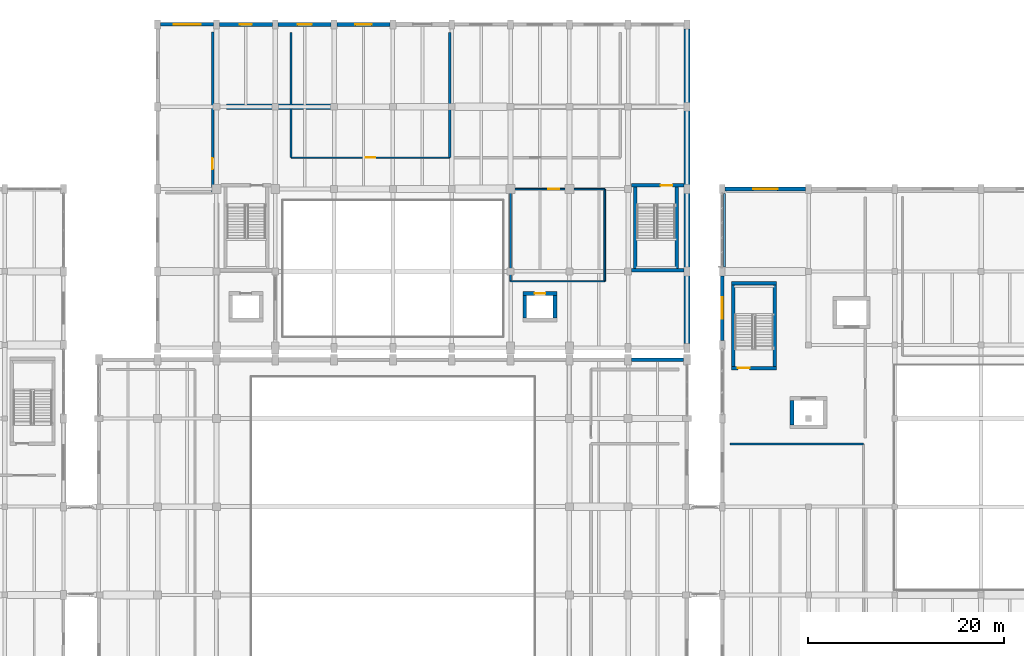
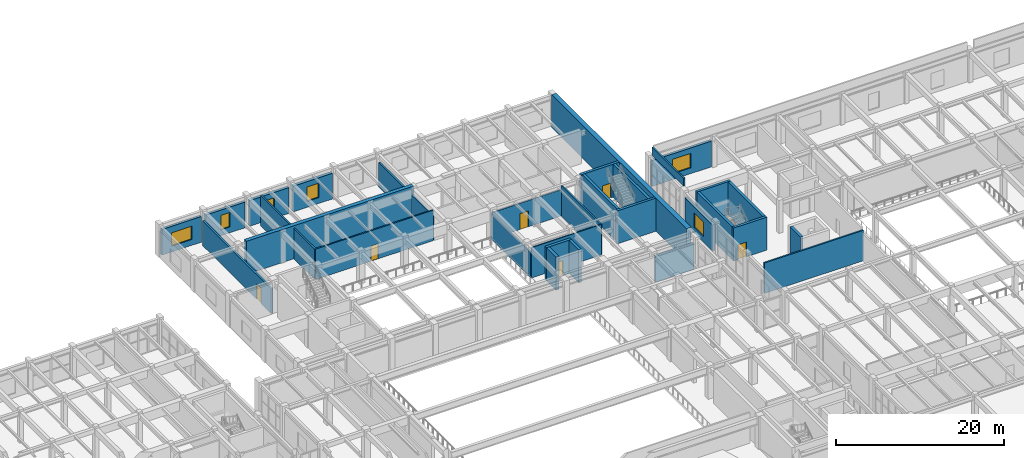
# One storey, part 73 of 96: 31 walls, 6 doors, 6 windows, 12 openings.
"""IFC4 building model written with IfcOpenShell, lengths in metres."""

from ifc_helpers import new_model, si_unit, direction, frame, frame_2d, origin, place, context, subcontext, project, spatial, rectangle, extrude, material, layer, layer_set, type_object, element, fill, save


model = new_model("IFC4")

# Units and contexts
model_context = context("Model", 3, precision=1e-05, world=origin(), true_north=direction((0.0, 1.0)))
body_context = subcontext(model_context, "Body", "Model", "MODEL_VIEW")
ifc_project = project(units=[si_unit("LENGTHUNIT", "METRE"), si_unit("AREAUNIT", "SQUARE_METRE"), si_unit("VOLUMEUNIT", "CUBIC_METRE"), si_unit("PLANEANGLEUNIT", "RADIAN"), si_unit("MASSUNIT", "GRAM", prefix="KILO")], contexts=[model_context])

# Site, building, storey
site_placement = place(None, origin())
site = spatial("IfcSite", under=ifc_project, at=site_placement, CompositionType="ELEMENT")
building_placement = place(site_placement, origin())
building = spatial("IfcBuilding", under=site, at=building_placement, Name="Vaelkrest Opera House", CompositionType="ELEMENT")
storey_placement = place(building_placement, frame((0.0, 0.0, 5.39990234375)))
storey = spatial("IfcBuildingStorey", under=building, at=storey_placement, Name="L01", CompositionType="ELEMENT", Elevation=5.39990234375)

# Wall
ifc_material_1 = material(Name="American black walnut acoustic timber", Category="wood")
ifc_layer_1 = layer(ifc_material_1, 0.360107421875)
ifc_layer_set_1 = layer_set([ifc_layer_1], Name="American black walnut acoustic timber")
wall_type_1 = type_object("IfcWallType", Name="EW06", PredefinedType="STANDARD", material=ifc_layer_set_1)
wall_1_placement = place(storey_placement, frame((24.347900390625, 16.199951171875, 0.0), z_axis=(0.0, 0.0, 1.0), x_axis=(1.0, 0.0, 0.0)))
element("IfcWall", 1, at=wall_1_placement, inside=storey, type_object=wall_type_1, Name="Exterior facade wall EW-V1-L01-0046", PredefinedType="STANDARD", context=body_context, shape_type="SweptSolid", body=[
    extrude(rectangle(XDim=5.30419921875, YDim=0.360107421875, at=frame_2d((2.652099609375, 0.0))), origin(), (0.0, 0.0, 1.0), 3.739990234375),
])

# Wall, opening, window
wall_2_placement = place(storey_placement, frame((33.60009765625, 18.14794921875, 0.0), z_axis=(0.0, 0.0, 1.0), x_axis=(0.0, 1.0, 0.0)))
wall_2 = element("IfcWall", 2, at=wall_2_placement, inside=storey, type_object=wall_type_1, Name="Exterior facade wall EW-V4-L01-0236", PredefinedType="STANDARD", context=body_context, shape_type="SweptSolid", body=[
    extrude(rectangle(XDim=6.60400390625, YDim=0.360107421875, at=frame_2d((3.302001953125, 0.0))), origin(), (0.0, 0.0, 1.0), 3.82421875),
])
opening_1_placement = place(wall_2_placement, frame((2.201904296875, 0.0, 0.85009765625)))
opening_1 = element("IfcOpeningElement", 3, at=opening_1_placement, cuts=wall_2, Name="Opening WN121", PredefinedType="OPENING", context=body_context, shape_type="SweptSolid", body=[
    extrude(rectangle(XDim=2.199951171875, YDim=2.10009765625, at=frame_2d((1.10009765625, 1.050048828125))), frame((0.0, 0.18994140625, 0.0), z_axis=(0.0, -1.0, 0.0), x_axis=(1.0, 0.0, 0.0)), (0.0, 0.0, 1.0), 0.380126953125),
])
ifc_material_2 = material(Name="Double low-E insulated glazing", Category="glass")
window_type_1 = type_object("IfcWindowType", Name="WT17", PartitioningType="SINGLE_PANEL", PredefinedType="WINDOW", material=ifc_material_2)
window_1_placement = place(opening_1_placement, origin())
window_1 = element("IfcWindow", 4, at=window_1_placement, inside=storey, type_object=window_type_1, Name="Facade window WN121", OverallHeight=2.10009765625, OverallWidth=2.199951171875, PartitioningType="SINGLE_PANEL", PredefinedType="WINDOW", context=body_context, shape_type="SweptSolid", body=[
    extrude(rectangle(XDim=2.199951171875, YDim=2.10009765625, at=frame_2d((1.10009765625, 1.050048828125))), frame((0.0, 0.030029296875, 0.0), z_axis=(0.0, -1.0, 0.0), x_axis=(1.0, 0.0, 0.0)), (0.0, 0.0, 1.0), 0.06005859375),
])
fill(opening_1, window_1)

wall_3_placement = place(storey_placement, frame((-23.701904296875, 50.39990234375, 0.0), z_axis=(0.0, 0.0, 1.0), x_axis=(1.0, 0.0, 0.0)))
wall_3 = element("IfcWall", 5, at=wall_3_placement, inside=storey, type_object=wall_type_1, Name="Exterior facade wall EW-V2-L01-0346", PredefinedType="STANDARD", context=body_context, shape_type="SweptSolid", body=[
    extrude(rectangle(XDim=5.40380859375, YDim=0.360107421875, at=frame_2d((2.701904296875, 0.0))), origin(), (0.0, 0.0, 1.0), 3.739990234375),
])
opening_2_placement = place(wall_3_placement, frame((1.326904296875, 0.0, 0.85009765625)))
opening_2 = element("IfcOpeningElement", 6, at=opening_2_placement, cuts=wall_3, Name="Opening WN220", PredefinedType="OPENING", context=body_context, shape_type="SweptSolid", body=[
    extrude(rectangle(XDim=2.75, YDim=1.949951171875, at=frame_2d((1.375, 0.97509765625))), frame((0.0, 0.18994140625, 0.0), z_axis=(0.0, -1.0, 0.0), x_axis=(1.0, 0.0, 0.0)), (0.0, 0.0, 1.0), 0.380126953125),
])
window_type_2 = type_object("IfcWindowType", Name="WT12", PartitioningType="SINGLE_PANEL", PredefinedType="WINDOW", material=ifc_material_2)
window_2_placement = place(opening_2_placement, origin())
window_2 = element("IfcWindow", 7, at=window_2_placement, inside=storey, type_object=window_type_2, Name="Facade window WN220", OverallHeight=1.949951171875, OverallWidth=2.75, PartitioningType="SINGLE_PANEL", PredefinedType="WINDOW", context=body_context, shape_type="SweptSolid", body=[
    extrude(rectangle(XDim=2.75, YDim=1.949951171875, at=frame_2d((1.375, 0.97509765625))), frame((0.0, 0.030029296875, 0.0), z_axis=(0.0, -1.0, 0.0), x_axis=(1.0, 0.0, 0.0)), (0.0, 0.0, 1.0), 0.06005859375),
])
fill(opening_2, window_2)

ifc_material_3 = material(Name="Concrete C40/50", Category="concrete")
ifc_layer_2 = layer(ifc_material_3, 0.385009765625)
ifc_layer_set_2 = layer_set([ifc_layer_2], Name="Concrete C40/50")
wall_type_2 = type_object("IfcWallType", Name="EW07", PredefinedType="STANDARD", material=ifc_layer_set_2)
wall_4_placement = place(storey_placement, frame((33.89794921875, 33.60009765625, 0.0), z_axis=(0.0, 0.0, 1.0), x_axis=(1.0, 0.0, 0.0)))
wall_4 = element("IfcWall", 8, at=wall_4_placement, inside=storey, type_object=wall_type_2, Name="Exterior facade wall EW-V4-L01-0237", PredefinedType="STANDARD", context=body_context, shape_type="SweptSolid", body=[
    extrude(rectangle(XDim=8.2041015625, YDim=0.385009765625, at=frame_2d((4.10205078125, 0.0))), origin(), (0.0, 0.0, 1.0), 3.7451171875),
])
opening_3_placement = place(wall_4_placement, frame((2.85205078125, 0.0, 0.85009765625)))
opening_3 = element("IfcOpeningElement", 9, at=opening_3_placement, cuts=wall_4, Name="Opening WN122", PredefinedType="OPENING", context=body_context, shape_type="SweptSolid", body=[
    extrude(rectangle(XDim=2.5, YDim=2.10009765625, at=frame_2d((1.25, 1.050048828125))), frame((0.0, 0.202392578125, 0.0), z_axis=(0.0, -1.0, 0.0), x_axis=(1.0, 0.0, 0.0)), (0.0, 0.0, 1.0), 0.405029296875),
])
window_type_3 = type_object("IfcWindowType", Name="WT18", PartitioningType="SINGLE_PANEL", PredefinedType="WINDOW", material=ifc_material_2)
window_3_placement = place(opening_3_placement, origin())
window_3 = element("IfcWindow", 10, at=window_3_placement, inside=storey, type_object=window_type_3, Name="Facade window WN122", OverallHeight=2.10009765625, OverallWidth=2.5, PartitioningType="SINGLE_PANEL", PredefinedType="WINDOW", context=body_context, shape_type="SweptSolid", body=[
    extrude(rectangle(XDim=2.5, YDim=2.10009765625, at=frame_2d((1.25, 1.050048828125))), frame((0.0, 0.030029296875, 0.0), z_axis=(0.0, -1.0, 0.0), x_axis=(1.0, 0.0, 0.0)), (0.0, 0.0, 1.0), 0.06005859375),
])
fill(opening_3, window_3)

wall_5_placement = place(storey_placement, frame((-17.701904296875, 50.39990234375, 0.0), z_axis=(0.0, 0.0, 1.0), x_axis=(1.0, 0.0, 0.0)))
wall_5 = element("IfcWall", 11, at=wall_5_placement, inside=storey, type_object=wall_type_2, Name="Exterior facade wall EW-V2-L01-0347", PredefinedType="STANDARD", context=body_context, shape_type="SweptSolid", body=[
    extrude(rectangle(XDim=5.40380859375, YDim=0.385009765625, at=frame_2d((2.701904296875, 0.0))), origin(), (0.0, 0.0, 1.0), 3.739990234375),
])
opening_4_placement = place(wall_5_placement, frame((2.10205078125, 0.0, 0.85009765625)))
opening_4 = element("IfcOpeningElement", 12, at=opening_4_placement, cuts=wall_5, Name="Opening WN221", PredefinedType="OPENING", context=body_context, shape_type="SweptSolid", body=[
    extrude(rectangle(XDim=1.199951171875, YDim=2.10009765625, at=frame_2d((0.60009765625, 1.050048828125))), frame((0.0, 0.202392578125, 0.0), z_axis=(0.0, -1.0, 0.0), x_axis=(1.0, 0.0, 0.0)), (0.0, 0.0, 1.0), 0.405029296875),
])
window_type_4 = type_object("IfcWindowType", Name="WT13", PartitioningType="SINGLE_PANEL", PredefinedType="WINDOW", material=ifc_material_2)
window_4_placement = place(opening_4_placement, origin())
window_4 = element("IfcWindow", 13, at=window_4_placement, inside=storey, type_object=window_type_4, Name="Facade window WN221", OverallHeight=2.10009765625, OverallWidth=1.199951171875, PartitioningType="SINGLE_PANEL", PredefinedType="WINDOW", context=body_context, shape_type="SweptSolid", body=[
    extrude(rectangle(XDim=1.199951171875, YDim=2.10009765625, at=frame_2d((0.60009765625, 1.050048828125))), frame((0.0, 0.030029296875, 0.0), z_axis=(0.0, -1.0, 0.0), x_axis=(1.0, 0.0, 0.0)), (0.0, 0.0, 1.0), 0.06005859375),
])
fill(opening_4, window_4)

ifc_layer_3 = layer(ifc_material_3, 0.409912109375)
ifc_layer_set_3 = layer_set([ifc_layer_3], Name="Concrete C40/50")
wall_type_3 = type_object("IfcWallType", Name="EW08", PredefinedType="STANDARD", material=ifc_layer_set_3)
wall_6_placement = place(storey_placement, frame((-11.701904296875, 50.39990234375, 0.0), z_axis=(0.0, 0.0, 1.0), x_axis=(1.0, 0.0, 0.0)))
wall_6 = element("IfcWall", 14, at=wall_6_placement, inside=storey, type_object=wall_type_3, Name="Exterior facade wall EW-V2-L01-0348", PredefinedType="STANDARD", context=body_context, shape_type="SweptSolid", body=[
    extrude(rectangle(XDim=5.40380859375, YDim=0.409912109375, at=frame_2d((2.701904296875, 0.0))), origin(), (0.0, 0.0, 1.0), 3.739990234375),
])
opening_5_placement = place(wall_6_placement, frame((1.97705078125, 0.0, 0.85009765625)))
opening_5 = element("IfcOpeningElement", 15, at=opening_5_placement, cuts=wall_6, Name="Opening WN222", PredefinedType="OPENING", context=body_context, shape_type="SweptSolid", body=[
    extrude(rectangle(XDim=1.449951171875, YDim=2.10009765625, at=frame_2d((0.72509765625, 1.050048828125))), frame((0.0, 0.21484375, 0.0), z_axis=(0.0, -1.0, 0.0), x_axis=(1.0, 0.0, 0.0)), (0.0, 0.0, 1.0), 0.429931640625),
])
window_type_5 = type_object("IfcWindowType", Name="WT14", PartitioningType="SINGLE_PANEL", PredefinedType="WINDOW", material=ifc_material_2)
window_5_placement = place(opening_5_placement, origin())
window_5 = element("IfcWindow", 16, at=window_5_placement, inside=storey, type_object=window_type_5, Name="Facade window WN222", OverallHeight=2.10009765625, OverallWidth=1.449951171875, PartitioningType="SINGLE_PANEL", PredefinedType="WINDOW", context=body_context, shape_type="SweptSolid", body=[
    extrude(rectangle(XDim=1.449951171875, YDim=2.10009765625, at=frame_2d((0.72509765625, 1.050048828125))), frame((0.0, 0.030029296875, 0.0), z_axis=(0.0, -1.0, 0.0), x_axis=(1.0, 0.0, 0.0)), (0.0, 0.0, 1.0), 0.06005859375),
])
fill(opening_5, window_5)

ifc_layer_4 = layer(ifc_material_3, 0.43505859375)
ifc_layer_set_4 = layer_set([ifc_layer_4], Name="Concrete C40/50")
wall_type_4 = type_object("IfcWallType", Name="EW09", PredefinedType="STANDARD", material=ifc_layer_set_4)
wall_7_placement = place(storey_placement, frame((-5.701904296875, 50.39990234375, 0.0), z_axis=(0.0, 0.0, 1.0), x_axis=(1.0, 0.0, 0.0)))
wall_7 = element("IfcWall", 17, at=wall_7_placement, inside=storey, type_object=wall_type_4, Name="Exterior facade wall EW-V2-L01-0349", PredefinedType="STANDARD", context=body_context, shape_type="SweptSolid", body=[
    extrude(rectangle(XDim=5.40380859375, YDim=0.43505859375, at=frame_2d((2.701904296875, 0.0))), origin(), (0.0, 0.0, 1.0), 3.739990234375),
])
opening_6_placement = place(wall_7_placement, frame((1.876953125, 0.0, 0.85009765625)))
opening_6 = element("IfcOpeningElement", 18, at=opening_6_placement, cuts=wall_7, Name="Opening WN223", PredefinedType="OPENING", context=body_context, shape_type="SweptSolid", body=[
    extrude(rectangle(XDim=1.64990234375, YDim=2.10009765625, at=frame_2d((0.824951171875, 1.050048828125))), frame((0.0, 0.2275390625, 0.0), z_axis=(0.0, -1.0, 0.0), x_axis=(1.0, 0.0, 0.0)), (0.0, 0.0, 1.0), 0.455078125),
])
window_type_6 = type_object("IfcWindowType", Name="WT15", PartitioningType="SINGLE_PANEL", PredefinedType="WINDOW", material=ifc_material_2)
window_6_placement = place(opening_6_placement, origin())
window_6 = element("IfcWindow", 19, at=window_6_placement, inside=storey, type_object=window_type_6, Name="Facade window WN223", OverallHeight=2.10009765625, OverallWidth=1.64990234375, PartitioningType="SINGLE_PANEL", PredefinedType="WINDOW", context=body_context, shape_type="SweptSolid", body=[
    extrude(rectangle(XDim=1.64990234375, YDim=2.10009765625, at=frame_2d((0.824951171875, 1.050048828125))), frame((0.0, 0.030029296875, 0.0), z_axis=(0.0, -1.0, 0.0), x_axis=(1.0, 0.0, 0.0)), (0.0, 0.0, 1.0), 0.06005859375),
])
fill(opening_6, window_6)

# Walls
ifc_layer_5 = layer(ifc_material_3, 0.205078125)
ifc_layer_set_5 = layer_set([ifc_layer_5], Name="Concrete C40/50")
wall_type_5 = type_object("IfcWallType", Name="PP01", PredefinedType="PARAPET", material=ifc_layer_set_5)
wall_8_placement = place(storey_placement, frame((33.85009765625, 33.14990234375, 4.800048828125), z_axis=(0.0, 0.0, 1.0), x_axis=(0.0, -1.0, 0.0)))
element("IfcWall", 20, at=wall_8_placement, inside=storey, type_object=wall_type_5, Name="Roof parapet 13", PredefinedType="PARAPET", context=body_context, shape_type="SweptSolid", body=[
    extrude(rectangle(XDim=7.5, YDim=0.205078125, at=frame_2d((3.75, 0.0))), origin(), (0.0, 0.0, 1.0), 1.150146484375),
])
ifc_material_4 = material(Name="Gypsum acoustic board", Category="gypsum")
ifc_layer_6 = layer(ifc_material_4, 0.135009765625)
ifc_layer_set_6 = layer_set([ifc_layer_6], Name="Gypsum acoustic board")
wall_type_6 = type_object("IfcWallType", Name="PT02", PredefinedType="PARTITIONING", material=ifc_layer_set_6)
wall_9_placement = place(storey_placement, frame((12.0, 24.199951171875, 0.0), z_axis=(0.0, 0.0, 1.0), x_axis=(1.0, 0.0, 0.0)))
element("IfcWall", 21, at=wall_9_placement, inside=storey, type_object=wall_type_6, Name="Interior partition PT-V2-L01-0184", PredefinedType="PARTITIONING", context=body_context, shape_type="SweptSolid", body=[
    extrude(rectangle(XDim=9.60009765625, YDim=0.135009765625, at=frame_2d((4.800048828125, 0.0))), origin(), (0.0, 0.0, 1.0), 4.420166015625),
])

# Wall, opening, door
ifc_layer_7 = layer(ifc_material_4, 0.14990234375)
ifc_layer_set_7 = layer_set([ifc_layer_7], Name="Gypsum acoustic board")
wall_type_7 = type_object("IfcWallType", Name="PT03", PredefinedType="PARTITIONING", material=ifc_layer_set_7)
wall_10_placement = place(storey_placement, frame((12.0, 33.60009765625, 0.0), z_axis=(0.0, 0.0, 1.0), x_axis=(1.0, 0.0, 0.0)))
wall_10 = element("IfcWall", 22, at=wall_10_placement, inside=storey, type_object=wall_type_7, Name="Interior partition PT-V2-L01-0185", PredefinedType="PARTITIONING", context=body_context, shape_type="SweptSolid", body=[
    extrude(rectangle(XDim=9.60009765625, YDim=0.14990234375, at=frame_2d((4.800048828125, 0.0))), origin(), (0.0, 0.0, 1.0), 3.80712890625),
])
opening_7_placement = place(wall_10_placement, frame((3.824951171875, 0.0, 0.0)))
opening_7 = element("IfcOpeningElement", 23, at=opening_7_placement, cuts=wall_10, Name="Opening D071", PredefinedType="OPENING", context=body_context, shape_type="SweptSolid", body=[
    extrude(rectangle(XDim=1.14990234375, YDim=2.300048828125, at=frame_2d((0.574951171875, 1.14990234375))), frame((0.0, 0.0849609375, 0.0), z_axis=(0.0, -1.0, 0.0), x_axis=(1.0, 0.0, 0.0)), (0.0, 0.0, 1.0), 0.169921875),
])
door_type_1 = type_object("IfcDoorType", Name="DT12", OperationType="NOTDEFINED", PredefinedType="DOOR", material=ifc_material_1)
door_1_placement = place(opening_7_placement, origin())
door_1 = element("IfcDoor", 24, at=door_1_placement, inside=storey, type_object=door_type_1, Name="Interior door D071 (Lighting Bridge)", OperationType="SINGLE_SWING_RIGHT", OverallHeight=2.300048828125, OverallWidth=1.14990234375, PredefinedType="DOOR", context=body_context, shape_type="SweptSolid", body=[
    extrude(rectangle(XDim=1.14990234375, YDim=2.300048828125, at=frame_2d((0.574951171875, 1.14990234375))), frame((0.0, 0.02490234375, 0.0), z_axis=(0.0, -1.0, 0.0), x_axis=(1.0, 0.0, 0.0)), (0.0, 0.0, 1.0), 0.050048828125),
])
fill(opening_7, door_1)

# Walls
ifc_layer_8 = layer(ifc_material_4, 0.1650390625)
ifc_layer_set_8 = layer_set([ifc_layer_8], Name="Gypsum acoustic board")
wall_type_8 = type_object("IfcWallType", Name="PT04", PredefinedType="PARTITIONING", material=ifc_layer_set_8)
wall_11_placement = place(storey_placement, frame((12.0, 24.199951171875, 0.0), z_axis=(0.0, 0.0, 1.0), x_axis=(0.0, 1.0, 0.0)))
element("IfcWall", 25, at=wall_11_placement, inside=storey, type_object=wall_type_8, Name="Interior partition PT-V2-L01-0186", PredefinedType="PARTITIONING", context=body_context, shape_type="SweptSolid", body=[
    extrude(rectangle(XDim=9.400146484375, YDim=0.1650390625, at=frame_2d((4.7001953125, 0.0))), origin(), (0.0, 0.0, 1.0), 3.68505859375),
])
ifc_layer_9 = layer(ifc_material_4, 0.179931640625)
ifc_layer_set_9 = layer_set([ifc_layer_9], Name="Gypsum acoustic board")
wall_type_9 = type_object("IfcWallType", Name="PT05", PredefinedType="PARTITIONING", material=ifc_layer_set_9)
wall_12_placement = place(storey_placement, frame((21.60009765625, 24.199951171875, 0.0), z_axis=(0.0, 0.0, 1.0), x_axis=(0.0, 1.0, 0.0)))
element("IfcWall", 26, at=wall_12_placement, inside=storey, type_object=wall_type_9, Name="Interior partition PT-V2-L01-0187", PredefinedType="PARTITIONING", context=body_context, shape_type="SweptSolid", body=[
    extrude(rectangle(XDim=9.400146484375, YDim=0.179931640625, at=frame_2d((4.7001953125, 0.0))), origin(), (0.0, 0.0, 1.0), 4.420166015625),
])

# Wall, opening, door
ifc_layer_10 = layer(ifc_material_4, 0.195068359375)
ifc_layer_set_10 = layer_set([ifc_layer_10], Name="Gypsum acoustic board")
wall_type_10 = type_object("IfcWallType", Name="PT06", PredefinedType="PARTITIONING", material=ifc_layer_set_10)
wall_13_placement = place(storey_placement, frame((-10.39990234375, 36.800048828125, 0.0), z_axis=(0.0, 0.0, 1.0), x_axis=(1.0, 0.0, 0.0)))
wall_13 = element("IfcWall", 27, at=wall_13_placement, inside=storey, type_object=wall_type_10, Name="Interior partition PT-V2-L01-0188", PredefinedType="PARTITIONING", context=body_context, shape_type="SweptSolid", body=[
    extrude(rectangle(XDim=16.199951171875, YDim=0.195068359375, at=frame_2d((8.10009765625, 0.0))), origin(), (0.0, 0.0, 1.0), 4.420166015625),
])
opening_8_placement = place(wall_13_placement, frame((7.6201171875, 0.0, 0.0)))
opening_8 = element("IfcOpeningElement", 28, at=opening_8_placement, cuts=wall_13, Name="Opening D072", PredefinedType="OPENING", context=body_context, shape_type="SweptSolid", body=[
    extrude(rectangle(XDim=0.9599609375, YDim=2.199951171875, at=frame_2d((0.47998046875, 1.10009765625))), frame((0.0, 0.107421875, 0.0), z_axis=(0.0, -1.0, 0.0), x_axis=(1.0, 0.0, 0.0)), (0.0, 0.0, 1.0), 0.215087890625),
])
door_type_2 = type_object("IfcDoorType", Name="DT21", OperationType="NOTDEFINED", PredefinedType="DOOR", material=ifc_material_1)
door_2_placement = place(opening_8_placement, origin())
door_2 = element("IfcDoor", 29, at=door_2_placement, inside=storey, type_object=door_type_2, Name="Interior door D072 (Stage Audio Control Room)", OperationType="SINGLE_SWING_LEFT", OverallHeight=2.199951171875, OverallWidth=0.9599609375, PredefinedType="DOOR", context=body_context, shape_type="SweptSolid", body=[
    extrude(rectangle(XDim=0.9599609375, YDim=2.199951171875, at=frame_2d((0.47998046875, 1.10009765625))), frame((0.0, 0.02490234375, 0.0), z_axis=(0.0, -1.0, 0.0), x_axis=(1.0, 0.0, 0.0)), (0.0, 0.0, 1.0), 0.050048828125),
])
fill(opening_8, door_2)

# Walls
ifc_layer_11 = layer(ifc_material_1, 0.2099609375)
ifc_layer_set_11 = layer_set([ifc_layer_11], Name="American black walnut acoustic timber")
wall_type_11 = type_object("IfcWallType", Name="PT07", PredefinedType="PARTITIONING", material=ifc_layer_set_11)
wall_14_placement = place(storey_placement, frame((-10.39990234375, 36.800048828125, 0.0), z_axis=(0.0, 0.0, 1.0), x_axis=(0.0, 1.0, 0.0)))
element("IfcWall", 30, at=wall_14_placement, inside=storey, type_object=wall_type_11, Name="Interior partition PT-V2-L01-0189", PredefinedType="PARTITIONING", context=body_context, shape_type="SweptSolid", body=[
    extrude(rectangle(XDim=12.800048828125, YDim=0.2099609375, at=frame_2d((6.39990234375, 0.0))), origin(), (0.0, 0.0, 1.0), 4.420166015625),
])
wall_15_placement = place(storey_placement, frame((34.39990234375, 7.60009765625, 0.0), z_axis=(0.0, 0.0, 1.0), x_axis=(1.0, 0.0, 0.0)))
element("IfcWall", 31, at=wall_15_placement, inside=storey, type_object=wall_type_11, Name="Interior partition PT-V4-L01-0371", PredefinedType="PARTITIONING", context=body_context, shape_type="SweptSolid", body=[
    extrude(rectangle(XDim=13.60009765625, YDim=0.2099609375, at=frame_2d((6.800048828125, 0.0))), origin(), (0.0, 0.0, 1.0), 4.420166015625),
])
ifc_layer_12 = layer(ifc_material_1, 0.22509765625)
ifc_layer_set_12 = layer_set([ifc_layer_12], Name="American black walnut acoustic timber")
wall_type_12 = type_object("IfcWallType", Name="PT08", PredefinedType="PARTITIONING", material=ifc_layer_set_12)
wall_16_placement = place(storey_placement, frame((5.800048828125, 36.800048828125, 0.0), z_axis=(0.0, 0.0, 1.0), x_axis=(0.0, 1.0, 0.0)))
element("IfcWall", 32, at=wall_16_placement, inside=storey, type_object=wall_type_12, Name="Interior partition PT-V2-L01-0190", PredefinedType="PARTITIONING", context=body_context, shape_type="SweptSolid", body=[
    extrude(rectangle(XDim=12.800048828125, YDim=0.22509765625, at=frame_2d((6.39990234375, 0.0))), origin(), (0.0, 0.0, 1.0), 3.585205078125),
])

# Wall, opening, door
ifc_layer_13 = layer(ifc_material_3, 0.260009765625)
ifc_layer_set_13 = layer_set([ifc_layer_13], Name="Concrete C40/50")
wall_type_13 = type_object("IfcWallType", Name="PT10", PredefinedType="PARTITIONING", material=ifc_layer_set_13)
wall_17_placement = place(storey_placement, frame((-18.39990234375, 33.199951171875, 0.0), z_axis=(0.0, 0.0, 1.0), x_axis=(0.0, 1.0, 0.0)))
wall_17 = element("IfcWall", 33, at=wall_17_placement, inside=storey, type_object=wall_type_13, Name="Interior partition PT-V2-L01-0194", PredefinedType="PARTITIONING", context=body_context, shape_type="SweptSolid", body=[
    extrude(rectangle(XDim=16.400146484375, YDim=0.260009765625, at=frame_2d((8.2001953125, 0.0))), origin(), (0.0, 0.0, 1.0), 3.585205078125),
])
opening_9_placement = place(wall_17_placement, frame((2.43994140625, 0.0, 0.0)))
opening_9 = element("IfcOpeningElement", 34, at=opening_9_placement, cuts=wall_17, Name="Opening D074", PredefinedType="OPENING", context=body_context, shape_type="SweptSolid", body=[
    extrude(rectangle(XDim=1.1201171875, YDim=2.25, at=frame_2d((0.56005859375, 1.125))), frame((0.0, 0.139892578125, 0.0), z_axis=(0.0, -1.0, 0.0), x_axis=(1.0, 0.0, 0.0)), (0.0, 0.0, 1.0), 0.280029296875),
])
door_type_3 = type_object("IfcDoorType", Name="DT23", OperationType="NOTDEFINED", PredefinedType="DOOR", material=ifc_material_1)
door_3_placement = place(opening_9_placement, origin())
door_3 = element("IfcDoor", 35, at=door_3_placement, inside=storey, type_object=door_type_3, Name="Interior door D074 (Scenery Store)", OperationType="SINGLE_SWING_LEFT", OverallHeight=2.25, OverallWidth=1.1201171875, PredefinedType="DOOR", context=body_context, shape_type="SweptSolid", body=[
    extrude(rectangle(XDim=1.1201171875, YDim=2.25, at=frame_2d((0.56005859375, 1.125))), frame((0.0, 0.02490234375, 0.0), z_axis=(0.0, -1.0, 0.0), x_axis=(1.0, 0.0, 0.0)), (0.0, 0.0, 1.0), 0.050048828125),
])
fill(opening_9, door_3)

# Walls
ifc_material_5 = material(Name="Concrete C50/60", Category="concrete")
ifc_layer_14 = layer(ifc_material_5, 0.35009765625)
ifc_layer_set_14 = layer_set([ifc_layer_14], Name="Concrete C50/60")
wall_type_14 = type_object("IfcWallType", Name="SW01", PredefinedType="SHEAR", material=ifc_layer_set_14)
wall_18_placement = place(storey_placement, frame((29.679931640625, 25.324951171875, 0.0), z_axis=(0.0, 0.0, 1.0), x_axis=(-1.0, 0.0, 0.0)))
element("IfcWall", 36, at=wall_18_placement, inside=storey, type_object=wall_type_14, Name="Stair core ST06 wall L01 S", PredefinedType="SHEAR", context=body_context, shape_type="SweptSolid", body=[
    extrude(rectangle(XDim=5.329833984375, YDim=0.35009765625, at=frame_2d((2.6650390625, 0.0))), origin(), (0.0, 0.0, 1.0), 4.800048828125),
])
wall_19_placement = place(storey_placement, frame((24.72509765625, 25.5, 0.0), z_axis=(0.0, 0.0, 1.0), x_axis=(0.0, 1.0, 0.0)))
element("IfcWall", 37, at=wall_19_placement, inside=storey, type_object=wall_type_14, Name="Stair core ST06 wall L01 W", PredefinedType="SHEAR", context=body_context, shape_type="SweptSolid", body=[
    extrude(rectangle(XDim=8.300048828125, YDim=0.35009765625, at=frame_2d((4.14990234375, 0.0))), origin(), (0.0, 0.0, 1.0), 4.800048828125),
])

# Wall, opening, door
wall_20_placement = place(storey_placement, frame((24.35009765625, 33.97509765625, 0.0), z_axis=(0.0, 0.0, 1.0), x_axis=(1.0, 0.0, 0.0)))
wall_20 = element("IfcWall", 38, at=wall_20_placement, inside=storey, type_object=wall_type_14, Name="Stair core ST06 wall L01 N", PredefinedType="SHEAR", context=body_context, shape_type="SweptSolid", body=[
    extrude(rectangle(XDim=5.329833984375, YDim=0.35009765625, at=frame_2d((2.6650390625, 0.0))), origin(), (0.0, 0.0, 1.0), 4.800048828125),
])
opening_10_placement = place(wall_20_placement, frame((2.969970703125, 0.0, 0.0)))
opening_10 = element("IfcOpeningElement", 39, at=opening_10_placement, cuts=wall_20, Name="Opening SD-ST06-L01", PredefinedType="OPENING", context=body_context, shape_type="SweptSolid", body=[
    extrude(rectangle(XDim=1.179931640625, YDim=2.14990234375, at=frame_2d((0.58984375, 1.074951171875))), frame((0.0, 0.18505859375, 0.0), z_axis=(0.0, -1.0, 0.0), x_axis=(1.0, 0.0, 0.0)), (0.0, 0.0, 1.0), 0.3701171875),
])
door_type_4 = type_object("IfcDoorType", Name="DT07", OperationType="NOTDEFINED", PredefinedType="DOOR", material=ifc_material_1)
door_4_placement = place(opening_10_placement, origin())
door_4 = element("IfcDoor", 40, at=door_4_placement, inside=storey, type_object=door_type_4, Name="Protected stair door SD-ST06-L01", OperationType="SINGLE_SWING_LEFT", OverallHeight=2.14990234375, OverallWidth=1.179931640625, PredefinedType="DOOR", context=body_context, shape_type="SweptSolid", body=[
    extrude(rectangle(XDim=1.179931640625, YDim=2.14990234375, at=frame_2d((0.58984375, 1.074951171875))), frame((0.0, 0.02490234375, 0.0), z_axis=(0.0, -1.0, 0.0), x_axis=(1.0, 0.0, 0.0)), (0.0, 0.0, 1.0), 0.050048828125),
])
fill(opening_10, door_4)

# Wall
wall_21_placement = place(storey_placement, frame((28.97509765625, 33.800048828125, 0.0), z_axis=(0.0, 0.0, 1.0), x_axis=(0.0, -1.0, 0.0)))
element("IfcWall", 41, at=wall_21_placement, inside=storey, type_object=wall_type_14, Name="Stair core ST06 wall L01 E", PredefinedType="SHEAR", context=body_context, shape_type="SweptSolid", body=[
    extrude(rectangle(XDim=8.300048828125, YDim=0.35009765625, at=frame_2d((4.14990234375, 0.0))), origin(), (0.0, 0.0, 1.0), 4.800048828125),
])

# Wall, opening, door
wall_22_placement = place(storey_placement, frame((39.14990234375, 15.324951171875, 0.0), z_axis=(0.0, 0.0, 1.0), x_axis=(-1.0, 0.0, 0.0)))
wall_22 = element("IfcWall", 42, at=wall_22_placement, inside=storey, type_object=wall_type_14, Name="Stair core ST09 wall L01 S", PredefinedType="SHEAR", context=body_context, shape_type="SweptSolid", body=[
    extrude(rectangle(XDim=4.599853515625, YDim=0.35009765625, at=frame_2d((2.2998046875, 0.0))), origin(), (0.0, 0.0, 1.0), 4.800048828125),
])
opening_11_placement = place(wall_22_placement, frame((2.77001953125, 0.0, 0.0)))
opening_11 = element("IfcOpeningElement", 43, at=opening_11_placement, cuts=wall_22, Name="Opening SD-ST09-L01", PredefinedType="OPENING", context=body_context, shape_type="SweptSolid", body=[
    extrude(rectangle(XDim=1.179931640625, YDim=2.14990234375, at=frame_2d((0.58984375, 1.074951171875))), frame((0.0, 0.18505859375, 0.0), z_axis=(0.0, -1.0, 0.0), x_axis=(1.0, 0.0, 0.0)), (0.0, 0.0, 1.0), 0.3701171875),
])
door_5_placement = place(opening_11_placement, origin())
door_5 = element("IfcDoor", 44, at=door_5_placement, inside=storey, type_object=door_type_4, Name="Protected stair door SD-ST09-L01", OperationType="SINGLE_SWING_RIGHT", OverallHeight=2.14990234375, OverallWidth=1.179931640625, PredefinedType="DOOR", context=body_context, shape_type="SweptSolid", body=[
    extrude(rectangle(XDim=1.179931640625, YDim=2.14990234375, at=frame_2d((0.58984375, 1.074951171875))), frame((0.0, 0.02490234375, 0.0), z_axis=(0.0, -1.0, 0.0), x_axis=(1.0, 0.0, 0.0)), (0.0, 0.0, 1.0), 0.050048828125),
])
fill(opening_11, door_5)

# Walls
wall_23_placement = place(storey_placement, frame((34.72509765625, 15.5, 0.0), z_axis=(0.0, 0.0, 1.0), x_axis=(0.0, 1.0, 0.0)))
element("IfcWall", 45, at=wall_23_placement, inside=storey, type_object=wall_type_14, Name="Stair core ST09 wall L01 W", PredefinedType="SHEAR", context=body_context, shape_type="SweptSolid", body=[
    extrude(rectangle(XDim=8.300048828125, YDim=0.35009765625, at=frame_2d((4.14990234375, 0.0))), origin(), (0.0, 0.0, 1.0), 4.800048828125),
])
wall_24_placement = place(storey_placement, frame((34.550048828125, 23.97509765625, 0.0), z_axis=(0.0, 0.0, 1.0), x_axis=(1.0, 0.0, 0.0)))
element("IfcWall", 46, at=wall_24_placement, inside=storey, type_object=wall_type_14, Name="Stair core ST09 wall L01 N", PredefinedType="SHEAR", context=body_context, shape_type="SweptSolid", body=[
    extrude(rectangle(XDim=4.599853515625, YDim=0.35009765625, at=frame_2d((2.2998046875, 0.0))), origin(), (0.0, 0.0, 1.0), 4.800048828125),
])
wall_25_placement = place(storey_placement, frame((38.97509765625, 23.800048828125, 0.0), z_axis=(0.0, 0.0, 1.0), x_axis=(0.0, -1.0, 0.0)))
element("IfcWall", 47, at=wall_25_placement, inside=storey, type_object=wall_type_14, Name="Stair core ST09 wall L01 E", PredefinedType="SHEAR", context=body_context, shape_type="SweptSolid", body=[
    extrude(rectangle(XDim=8.300048828125, YDim=0.35009765625, at=frame_2d((4.14990234375, 0.0))), origin(), (0.0, 0.0, 1.0), 4.800048828125),
])

# Wall, opening, door
ifc_layer_15 = layer(ifc_material_5, 0.389892578125)
ifc_layer_set_15 = layer_set([ifc_layer_15], Name="Concrete C50/60")
wall_type_15 = type_object("IfcWallType", Name="SW02", PredefinedType="SHEAR", material=ifc_layer_set_15)
wall_26_placement = place(storey_placement, frame((13.260009765625, 22.945068359375, 0.0), z_axis=(0.0, 0.0, 1.0), x_axis=(1.0, 0.0, 0.0)))
wall_26 = element("IfcWall", 48, at=wall_26_placement, inside=storey, type_object=wall_type_15, Name="Lift shaft LF02 wall L01 N", PredefinedType="SHEAR", context=body_context, shape_type="SweptSolid", body=[
    extrude(rectangle(XDim=3.47998046875, YDim=0.389892578125, at=frame_2d((1.739990234375, 0.0))), origin(), (0.0, 0.0, 1.0), 4.800048828125),
])
opening_12_placement = place(wall_26_placement, frame((1.18994140625, 0.0, 0.0)))
opening_12 = element("IfcOpeningElement", 49, at=opening_12_placement, cuts=wall_26, Name="Opening LD-LF02-L01", PredefinedType="OPENING", context=body_context, shape_type="SweptSolid", body=[
    extrude(rectangle(XDim=1.10009765625, YDim=2.14990234375, at=frame_2d((0.550048828125, 1.074951171875))), frame((0.0, 0.204833984375, 0.0), z_axis=(0.0, -1.0, 0.0), x_axis=(1.0, 0.0, 0.0)), (0.0, 0.0, 1.0), 0.409912109375),
])
ifc_material_6 = material(Name="Dark bronze anodized aluminium", Category="aluminium")
door_type_5 = type_object("IfcDoorType", Name="LDT01", OperationType="SLIDING_TO_LEFT", PredefinedType="DOOR", material=ifc_material_6)
door_6_placement = place(opening_12_placement, origin())
door_6 = element("IfcDoor", 50, at=door_6_placement, inside=storey, type_object=door_type_5, Name="Lift landing sliding door LD-LF02-L01", OperationType="SLIDING_TO_LEFT", OverallHeight=2.14990234375, OverallWidth=1.10009765625, PredefinedType="DOOR", context=body_context, shape_type="SweptSolid", body=[
    extrude(rectangle(XDim=1.10009765625, YDim=2.14990234375, at=frame_2d((0.550048828125, 1.074951171875))), frame((0.0, 0.02490234375, 0.0), z_axis=(0.0, -1.0, 0.0), x_axis=(1.0, 0.0, 0.0)), (0.0, 0.0, 1.0), 0.050048828125),
])
fill(opening_12, door_6)

# Walls
for number, where, z_axis, x_axis, name in (
    (51, (13.455078125, 20.449951171875, 0.0), (0.0, 0.0, 1.0), (0.0, 1.0, 0.0), "Lift shaft LF02 wall L01 W"),
    (52, (16.544921875, 22.75, 0.0), (0.0, 0.0, 1.0), (0.0, -1.0, 0.0), "Lift shaft LF02 wall L01 E"),
):
    element("IfcWall", number, at=place(storey_placement, frame(where, z_axis=z_axis, x_axis=x_axis)), inside=storey, type_object=wall_type_15, Name=name, PredefinedType="SHEAR", context=body_context, shape_type="SweptSolid", body=[
        extrude(rectangle(XDim=2.300048828125, YDim=0.389892578125, at=frame_2d((1.14990234375, 0.0))), origin(), (0.0, 0.0, 1.0), 4.800048828125),
    ])
wall_27_placement = place(storey_placement, frame((40.705078125, 9.550048828125, 0.0), z_axis=(0.0, 0.0, 1.0), x_axis=(0.0, 1.0, 0.0)))
element("IfcWall", 53, at=wall_27_placement, inside=storey, type_object=wall_type_15, Name="Lift shaft LP06 wall L01 W", PredefinedType="SHEAR", context=body_context, shape_type="SweptSolid", body=[
    extrude(rectangle(XDim=2.5, YDim=0.389892578125, at=frame_2d((1.25, 0.0))), origin(), (0.0, 0.0, 1.0), 4.800048828125),
])
ifc_layer_16 = layer(ifc_material_5, 0.52001953125)
ifc_layer_set_16 = layer_set([ifc_layer_16], Name="Concrete C50/60")
wall_type_16 = type_object("IfcWallType", Name="SW04", PredefinedType="SHEAR", material=ifc_layer_set_16)
wall_28_placement = place(storey_placement, frame((-17.0, 42.0, 0.0), z_axis=(0.0, 0.0, 1.0), x_axis=(1.0, 0.0, 0.0)))
element("IfcWall", 54, at=wall_28_placement, inside=storey, type_object=wall_type_16, Name="Fly tower north shear wall L01 W", PredefinedType="SHEAR", context=body_context, shape_type="SweptSolid", body=[
    extrude(rectangle(XDim=23.0, YDim=0.52001953125, at=frame_2d((11.5, 0.0))), origin(), (0.0, 0.0, 1.0), 4.800048828125),
])
ifc_layer_17 = layer(ifc_material_5, 0.639892578125)
ifc_layer_set_17 = layer_set([ifc_layer_17], Name="Concrete C50/60")
wall_type_17 = type_object("IfcWallType", Name="SW07", PredefinedType="SHEAR", material=ifc_layer_set_17)
wall_29_placement = place(storey_placement, frame((30.0, 17.85009765625, 0.0), z_axis=(0.0, 0.0, 1.0), x_axis=(0.0, 1.0, 0.0)))
element("IfcWall", 55, at=wall_29_placement, inside=storey, type_object=wall_type_17, Name="Fly tower east exterior shear wall L01", PredefinedType="SHEAR", context=body_context, shape_type="SweptSolid", body=[
    extrude(rectangle(XDim=32.099853515625, YDim=0.639892578125, at=frame_2d((16.0498046875, 0.0))), origin(), (0.0, 0.0, 1.0), 4.800048828125),
])

save(model, "model.ifc")
